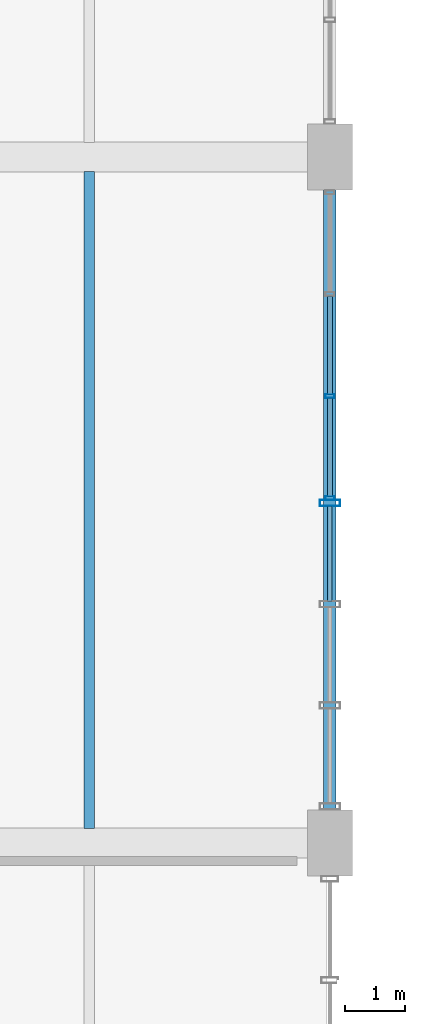
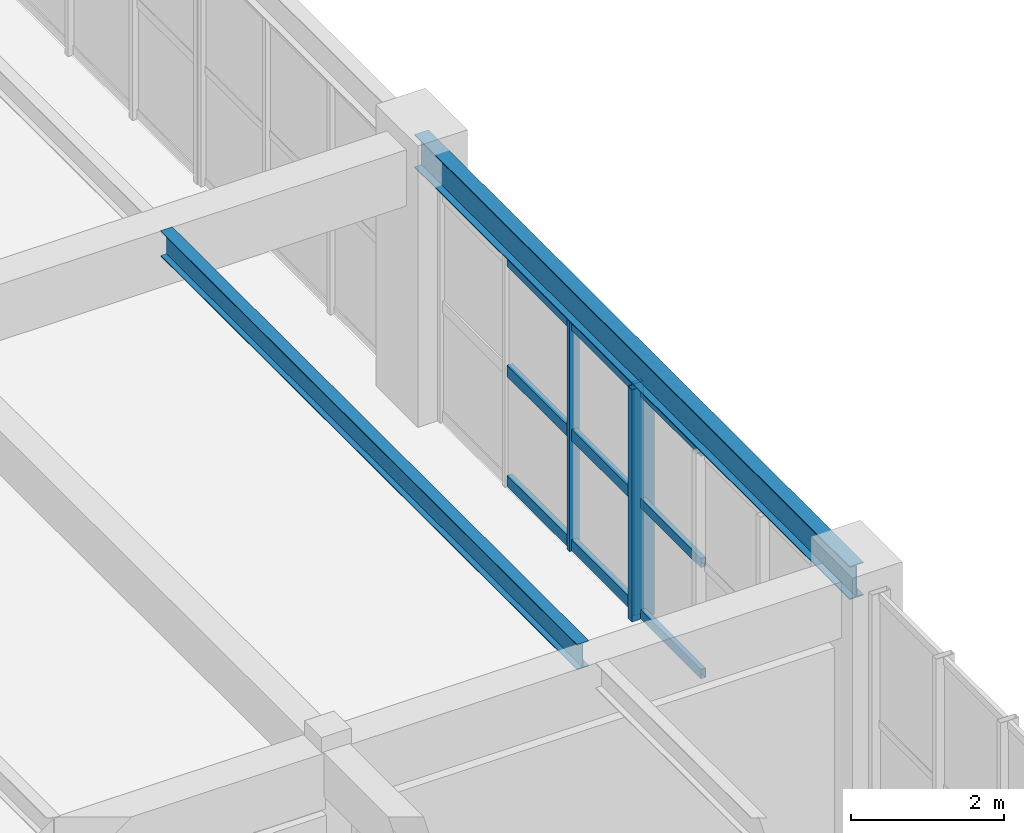
# One storey, part 8 of 48: 12 members, 2 beams, 2 elements without a shape of their own.
"""IFC4 building model written with IfcOpenShell, lengths in metres."""

import ifcopenshell
import ifcopenshell.guid

model = None  # the IFC model being written
_history = None  # IfcOwnerHistory: only IFC2X3 demands one
_inside = {}  # id of a spatial element -> (the spatial element, [elements in it])
_under = {}  # id of a project, library or spatial element -> (it, [spatial elements below it])
_declared = {}  # id of a project -> (the project, [libraries it declares])
_typed = {}  # id of a type object -> (the type object, [elements of that type])
_made_of = {}  # id of a material, layer set ... -> (it, [elements and type objects made of it])


def new_model(schema):
    """Start an empty IFC model of exactly this schema.

    Asked for "IFC4X3", IfcOpenShell would pick the latest addendum, in which some entities
    have other attributes; the version numbers below select the first issue.
    IFC2X3 requires an IfcOwnerHistory on every rooted entity: one is made here for all.
    """
    global model, _history
    if schema == "IFC4X3":
        model = ifcopenshell.file(schema_version=(4, 3, 0, 0))
    else:
        model = ifcopenshell.file(schema=schema)
    _inside.clear()
    _under.clear()
    _declared.clear()
    _typed.clear()
    _made_of.clear()
    _history = None
    if model.schema == "IFC2X3":
        org = make("IfcOrganization", Name="unknown")
        user = make(
            "IfcPersonAndOrganization",
            ThePerson=make("IfcPerson", FamilyName="unknown"),
            TheOrganization=org,
        )
        app = make(
            "IfcApplication",
            ApplicationDeveloper=org,
            Version="unknown",
            ApplicationFullName="unknown",
            ApplicationIdentifier="unknown",
        )
        _history = make(
            "IfcOwnerHistory",
            OwningUser=user,
            OwningApplication=app,
            ChangeAction="ADDED",
            CreationDate=0,
        )
    return model


def make(cls, **values):
    """One entity of the class cls with the attributes given. An attribute that is None is left unset."""
    return model.create_entity(
        cls, **{name: value for name, value in values.items() if value is not None}
    )


def rooted(cls, **values):
    """An entity with a GlobalId (a new one), such as an element, a storey or a relation."""
    return make(cls, GlobalId=ifcopenshell.guid.new(), OwnerHistory=_history, **values)


def si_unit(unit_type, name, prefix=None):
    """IfcSIUnit, for example si_unit("LENGTHUNIT", "METRE", prefix="MILLI")."""
    return make("IfcSIUnit", UnitType=unit_type, Prefix=prefix, Name=name)


def assignment(units):
    """IfcUnitAssignment: the units of a project."""
    return None if units is None else make("IfcUnitAssignment", Units=units)


def point(xyz):
    """IfcCartesianPoint."""
    return None if xyz is None else make("IfcCartesianPoint", Coordinates=xyz)


def direction(xyz):
    """IfcDirection."""
    return None if xyz is None else make("IfcDirection", DirectionRatios=xyz)


def frame(location, z_axis=None, x_axis=None):
    """IfcAxis2Placement3D, a coordinate frame: its origin and axes. An axis left out is left unset."""
    return make(
        "IfcAxis2Placement3D",
        Location=point(location),
        Axis=direction(z_axis),
        RefDirection=direction(x_axis),
    )


def frame_2d(location, x_axis=None):
    """IfcAxis2Placement2D, a coordinate frame in the plane: its origin and x axis."""
    return make(
        "IfcAxis2Placement2D", Location=point(location), RefDirection=direction(x_axis)
    )


def origin():
    """The frame at (0, 0, 0) with its axes left unset."""
    return frame((0.0, 0.0, 0.0))


def origin_2d():
    """The frame at (0, 0) in the plane with its x axis left unset."""
    return frame_2d((0.0, 0.0))


def place(relative_to, where):
    """IfcLocalPlacement: puts the frame where relative to a parent placement (None: the world)."""
    return make(
        "IfcLocalPlacement", PlacementRelTo=relative_to, RelativePlacement=where
    )


def context(
    kind, dimensions, precision=None, world=None, true_north=None, identifier=None
):
    """IfcGeometricRepresentationContext, for example the 3D "Model" context."""
    return make(
        "IfcGeometricRepresentationContext",
        ContextIdentifier=identifier,
        ContextType=kind,
        CoordinateSpaceDimension=dimensions,
        Precision=precision,
        WorldCoordinateSystem=world,
        TrueNorth=true_north,
    )


def subcontext(parent, identifier, kind, view, scale=None):
    """IfcGeometricRepresentationSubContext, for example "Body" below "Model"."""
    return make(
        "IfcGeometricRepresentationSubContext",
        ContextIdentifier=identifier,
        ContextType=kind,
        ParentContext=parent,
        TargetScale=scale,
        TargetView=view,
    )


def project(units=None, contexts=None):
    """IfcProject with its units and contexts."""
    return rooted(
        "IfcProject",
        Name="project",
        RepresentationContexts=contexts,
        UnitsInContext=assignment(units),
    )


def spatial(cls, under=None, at=None, **own):
    """A site, building, storey or space (cls), placed at a placement, below another one or the project."""
    s = rooted(cls, ObjectPlacement=at, **own)
    if under is not None:
        _under.setdefault(under.id(), (under, []))[1].append(s)
    return s


def profile(cls, at=None, kind="AREA", **sizes):
    """A parametric profile (cls). Its sizes go by their IFC names, for example OverallWidth=200.0."""
    return make(cls, ProfileType=kind, Position=at, **sizes)


def hollow_rectangle(**sizes):
    """IfcRectangleHollowProfileDef."""
    return profile("IfcRectangleHollowProfileDef", **sizes)


def i_section(**sizes):
    """IfcIShapeProfileDef."""
    return profile("IfcIShapeProfileDef", **sizes)


def extrude(swept, where, along, depth):
    """IfcExtrudedAreaSolid: the profile swept, set in the frame where, extruded along a direction by depth."""
    return make(
        "IfcExtrudedAreaSolid",
        SweptArea=swept,
        Position=where,
        ExtrudedDirection=direction(along),
        Depth=depth,
    )


def shape(context_of_items, identifier, shape_type, items):
    """IfcShapeRepresentation: the items that make up one representation, for example the "Body"."""
    return make(
        "IfcShapeRepresentation",
        ContextOfItems=context_of_items,
        RepresentationIdentifier=identifier,
        RepresentationType=shape_type,
        Items=items,
    )


def material(Name=None, Category=None):
    """IfcMaterial."""
    return make("IfcMaterial", Name=Name, Category=Category)


def layer(
    of_material, thickness, ventilated=None, Name=None, Category=None, Priority=None
):
    """IfcMaterialLayer: one layer of a wall or slab, of a material (None: an air gap)."""
    return make(
        "IfcMaterialLayer",
        Material=of_material,
        LayerThickness=thickness,
        IsVentilated=ventilated,
        Name=Name,
        Category=Category,
        Priority=Priority,
    )


def layer_set(layers, Name=None):
    """IfcMaterialLayerSet."""
    return make("IfcMaterialLayerSet", MaterialLayers=layers, LayerSetName=Name)


def material_profile(
    of_material, cross_section, Name=None, Category=None, Priority=None
):
    """IfcMaterialProfile: a cross section and its material."""
    return make(
        "IfcMaterialProfile",
        Name=Name,
        Material=of_material,
        Profile=cross_section,
        Priority=Priority,
        Category=Category,
    )


def profile_set(profiles, Name=None, composite=None):
    """IfcMaterialProfileSet."""
    return make(
        "IfcMaterialProfileSet",
        Name=Name,
        MaterialProfiles=profiles,
        CompositeProfile=composite,
    )


def made_of(thing, what):
    """Note that an element or type object is made of a material, layer set ...; save() writes the relation."""
    if what is not None:
        _made_of.setdefault(what.id(), (what, []))[1].append(thing)
    return thing


def type_object(cls, material=None, **own):
    """A type object (cls), such as IfcWallType, which elements share."""
    return made_of(rooted(cls, **own), material)


def element(
    cls,
    number,
    at=None,
    inside=None,
    cuts=None,
    type_object=None,
    material=None,
    context=None,
    identifier="Body",
    shape_type=None,
    held_by="IfcProductDefinitionShape",
    body=None,
    shapes=None,
    **own,
):
    """One element of the class cls, such as IfcWall. Its Tag is "e" and its number.

    at: its placement. inside: the storey or other place that contains it. cuts: it is an
    opening in that element (IfcRelVoidsElement). A single representation is given by context,
    identifier, shape_type and body (its items); several are given by shapes. held_by: the class
    of the entity that holds the representations. save() writes the other relations.
    """
    e = rooted(cls, Tag="e%d" % number, ObjectPlacement=at, **own)
    if body is not None:
        shapes = [shape(context, identifier, shape_type, body)]
    if shapes is not None:
        e.Representation = make(held_by, Representations=shapes)
    if inside is not None:
        _inside.setdefault(inside.id(), (inside, []))[1].append(e)
    if cuts is not None:
        rooted(
            "IfcRelVoidsElement", RelatingBuildingElement=cuts, RelatedOpeningElement=e
        )
    if type_object is not None:
        _typed.setdefault(type_object.id(), (type_object, []))[1].append(e)
    return made_of(e, material)


def aggregate(whole, parts):
    """IfcRelAggregates: a whole, such as a stair, and the parts it consists of."""
    return rooted("IfcRelAggregates", RelatingObject=whole, RelatedObjects=parts)


def save(model, path):
    """Write the relations noted so far, then the file.

    IfcRelAggregates (storeys below a building ...), IfcRelContainedInSpatialStructure (elements
    in a storey), IfcRelDefinesByType, IfcRelAssociatesMaterial and IfcRelDeclares: one each for
    every whole, place, type object, material and project.
    """
    for whole, parts in _under.values():
        aggregate(whole, parts)
    for where, things in _inside.values():
        rooted(
            "IfcRelContainedInSpatialStructure",
            RelatedElements=things,
            RelatingStructure=where,
        )
    for kind, things in _typed.values():
        rooted("IfcRelDefinesByType", RelatedObjects=things, RelatingType=kind)
    for what, things in _made_of.values():
        rooted("IfcRelAssociatesMaterial", RelatedObjects=things, RelatingMaterial=what)
    for by, libraries in _declared.values():
        rooted("IfcRelDeclares", RelatingContext=by, RelatedDefinitions=libraries)
    model.write(path)


model = new_model("IFC4")

# Units and contexts
model_context = context("Model", 3, precision=1e-05, world=origin(), true_north=direction((0.0, 1.0)))
body_context = subcontext(model_context, "Body", "Model", "MODEL_VIEW")
ifc_project = project(units=[si_unit("LENGTHUNIT", "METRE"), si_unit("AREAUNIT", "SQUARE_METRE"), si_unit("VOLUMEUNIT", "CUBIC_METRE"), si_unit("PLANEANGLEUNIT", "RADIAN"), si_unit("MASSUNIT", "GRAM", prefix="KILO"), si_unit("POWERUNIT", "WATT"), si_unit("THERMODYNAMICTEMPERATUREUNIT", "KELVIN")], contexts=[model_context])

# Site, building, storey
site_placement = place(None, origin())
site = spatial("IfcSite", under=ifc_project, at=site_placement, CompositionType="ELEMENT")
building_placement = place(site_placement, origin())
building = spatial("IfcBuilding", under=site, at=building_placement, Name="Kelmbourne Parkland Aquatics Centre", CompositionType="ELEMENT")
storey_placement = place(building_placement, frame((0.0, 0.0, 14.699951171875)))
storey = spatial("IfcBuildingStorey", under=building, at=storey_placement, Name="L03", CompositionType="ELEMENT", Elevation=14.699951171875)

# Beams
ifc_material_1 = material(Name="Structural steel AS/NZS 3679.1 Grade 300", Category="steel")
ifc_material_profile_1 = material_profile(ifc_material_1, i_section(OverallWidth=0.177978515625, OverallDepth=0.406005859375, WebThickness=0.0078125, FlangeThickness=0.0126953125, at=origin_2d()), Name="410UB59.7")
ifc_profile_set_1 = profile_set([ifc_material_profile_1], Name="Structural steel AS/NZS 3679.1 Grade 300")
beam_type_1 = type_object("IfcBeamType", Name="BM-J01", PredefinedType="JOIST", material=ifc_profile_set_1)
beam_1_placement = place(storey_placement, frame((36.0, 23.842041015625, 4.05712890625), z_axis=(0.0, 1.0, 0.0), x_axis=(-1.0, 0.0, 0.0)))
element("IfcBeam", 1, at=beam_1_placement, inside=storey, type_object=beam_type_1, Name="Secondary floor joist E-F/04-05 #1 (L04)", PredefinedType="JOIST", context=body_context, shape_type="SweptSolid", body=[
    extrude(i_section(OverallWidth=0.177978515625, OverallDepth=0.406005859375, WebThickness=0.0078125, FlangeThickness=0.0126953125, at=origin_2d()), origin(), (0.0, 0.0, 1.0), 10.916015625),
])
ifc_material_profile_2 = material_profile(ifc_material_1, i_section(OverallWidth=0.208984375, OverallDepth=0.532958984375, WebThickness=0.01025390625, FlangeThickness=0.015625, at=origin_2d()), Name="530UB92.4")
ifc_profile_set_2 = profile_set([ifc_material_profile_2], Name="Structural steel AS/NZS 3679.1 Grade 300")
beam_type_2 = type_object("IfcBeamType", Name="BM-SP02", PredefinedType="SPANDREL", material=ifc_profile_set_2)
beam_2_placement = place(storey_placement, frame((40.0, 23.60009765625, 3.99365234375), z_axis=(0.0, 1.0, 0.0), x_axis=(-1.0, 0.0, 0.0)))
element("IfcBeam", 2, at=beam_2_placement, inside=storey, type_object=beam_type_2, Name="Perimeter spandrel 04-05 Grid F (L04)", PredefinedType="SPANDREL", context=body_context, shape_type="SweptSolid", body=[
    extrude(i_section(OverallWidth=0.208984375, OverallDepth=0.532958984375, WebThickness=0.01025390625, FlangeThickness=0.015625, at=origin_2d()), origin(), (0.0, 0.0, 1.0), 11.39990234375),
])

# Curtain wall, members
ifc_material_2 = material(Name="Thermally broken anodised aluminium framing", Category="aluminium")
ifc_layer_1 = layer(ifc_material_2, 0.179931640625)
ifc_layer_set_1 = layer_set([ifc_layer_1], Name="Thermally broken anodised aluminium framing")
curtain_wall_type_1 = type_object("IfcCurtainWallType", Name="CW-20", PredefinedType="NOTDEFINED", material=ifc_layer_set_1)
curtain_wall_1_placement = place(storey_placement, origin())
curtain_wall_1 = element("IfcCurtainWall", 3, at=curtain_wall_1_placement, inside=storey, type_object=curtain_wall_type_1, Name="Facade curtain wall CW-L03-260", PredefinedType="NOTDEFINED")
ifc_material_profile_3 = material_profile(ifc_material_2, hollow_rectangle(XDim=0.06494140625, YDim=0.14990234375, WallThickness=0.00390625, at=origin_2d()), Name="CW-M 65x150")
ifc_profile_set_3 = profile_set([ifc_material_profile_3], Name="Thermally broken anodised aluminium framing")
member_type_1 = type_object("IfcMemberType", Name="MB-MUL-1", PredefinedType="MULLION", material=ifc_profile_set_3)
member_1_placement = place(storey_placement, frame((40.0, 29.33251953125, 0.0), z_axis=(0.0, 0.0, 1.0), x_axis=(0.0, 1.0, 0.0)))
member_1 = element("IfcMember", 4, at=member_1_placement, type_object=member_type_1, Name="CW-L03-260 mullion 0", PredefinedType="MULLION", context=body_context, shape_type="SweptSolid", body=[
    extrude(hollow_rectangle(XDim=0.06494140625, YDim=0.14990234375, WallThickness=0.00390625, at=origin_2d()), origin(), (0.0, 0.0, 1.0), 3.712158203125),
])
member_2_placement = place(storey_placement, frame((40.0, 31.02685546875, 0.0), z_axis=(0.0, 0.0, 1.0), x_axis=(0.0, 1.0, 0.0)))
member_2 = element("IfcMember", 5, at=member_2_placement, type_object=member_type_1, Name="CW-L03-260 mullion 1", PredefinedType="MULLION", context=body_context, shape_type="SweptSolid", body=[
    extrude(hollow_rectangle(XDim=0.06494140625, YDim=0.14990234375, WallThickness=0.00390625, at=origin_2d()), origin(), (0.0, 0.0, 1.0), 3.712158203125),
])

ifc_layer_2 = layer(ifc_material_2, 0.179931640625)
ifc_layer_set_2 = layer_set([ifc_layer_2], Name="Thermally broken anodised aluminium framing")
curtain_wall_type_2 = type_object("IfcCurtainWallType", Name="CW-19", PredefinedType="NOTDEFINED", material=ifc_layer_set_2)
curtain_wall_2_placement = place(storey_placement, origin())
curtain_wall_2 = element("IfcCurtainWall", 6, at=curtain_wall_2_placement, inside=storey, type_object=curtain_wall_type_2, Name="Facade curtain wall CW-L03-259", PredefinedType="NOTDEFINED")
ifc_material_profile_4 = material_profile(ifc_material_2, hollow_rectangle(XDim=0.10498046875, YDim=0.340087890625, WallThickness=0.006103515625, at=origin_2d()), Name="CW-M 105x340")
ifc_profile_set_4 = profile_set([ifc_material_profile_4], Name="Thermally broken anodised aluminium framing")
member_type_2 = type_object("IfcMemberType", Name="MB-MUL-5", PredefinedType="MULLION", material=ifc_profile_set_4)
member_3_placement = place(storey_placement, frame((40.0, 29.24755859375, 0.0), z_axis=(0.0, 0.0, 1.0), x_axis=(0.0, 1.0, 0.0)))
member_3 = element("IfcMember", 7, at=member_3_placement, type_object=member_type_2, Name="CW-L03-259 mullion 3", PredefinedType="MULLION", context=body_context, shape_type="SweptSolid", body=[
    extrude(hollow_rectangle(XDim=0.10498046875, YDim=0.340087890625, WallThickness=0.006103515625, at=origin_2d()), origin(), (0.0, 0.0, 1.0), 3.712158203125),
])
ifc_material_profile_5 = material_profile(ifc_material_2, hollow_rectangle(XDim=0.074951171875, YDim=0.14990234375, WallThickness=0.00390625, at=origin_2d()), Name="CW-T 75x150")
ifc_profile_set_5 = profile_set([ifc_material_profile_5], Name="Thermally broken anodised aluminium framing")
member_type_3 = type_object("IfcMemberType", Name="MB-TRN-2", PredefinedType="USERDEFINED", material=ifc_profile_set_5)
member_4_placement = place(storey_placement, frame((40.0, 27.614990234375, 0.078125), z_axis=(0.0, 1.0, 0.0), x_axis=(-1.0, 0.0, 0.0)))
member_4 = element("IfcMember", 8, at=member_4_placement, type_object=member_type_3, Name="CW-L03-259 transom 0-2", ObjectType="TRANSOM", PredefinedType="USERDEFINED", context=body_context, shape_type="SweptSolid", body=[
    extrude(hollow_rectangle(XDim=0.074951171875, YDim=0.14990234375, WallThickness=0.00390625, at=origin_2d()), origin(), (0.0, 0.0, 1.0), 1.583984375),
])
member_5_placement = place(storey_placement, frame((40.0, 27.614990234375, 1.85595703125), z_axis=(0.0, 1.0, 0.0), x_axis=(-1.0, 0.0, 0.0)))
member_5 = element("IfcMember", 9, at=member_5_placement, type_object=member_type_3, Name="CW-L03-259 transom 1-2", ObjectType="TRANSOM", PredefinedType="USERDEFINED", context=body_context, shape_type="SweptSolid", body=[
    extrude(hollow_rectangle(XDim=0.074951171875, YDim=0.14990234375, WallThickness=0.00390625, at=origin_2d()), origin(), (0.0, 0.0, 1.0), 1.583984375),
])
member_6_placement = place(storey_placement, frame((40.0, 27.614990234375, 3.634033203125), z_axis=(0.0, 1.0, 0.0), x_axis=(-1.0, 0.0, 0.0)))
member_6 = element("IfcMember", 10, at=member_6_placement, type_object=member_type_3, Name="CW-L03-259 transom 2-2", ObjectType="TRANSOM", PredefinedType="USERDEFINED", context=body_context, shape_type="SweptSolid", body=[
    extrude(hollow_rectangle(XDim=0.074951171875, YDim=0.14990234375, WallThickness=0.00390625, at=origin_2d()), origin(), (0.0, 0.0, 1.0), 1.583984375),
])
aggregate(curtain_wall_2, [member_3, member_4, member_5, member_6])

# Member
ifc_material_profile_6 = material_profile(ifc_material_2, hollow_rectangle(XDim=0.0849609375, YDim=0.179931640625, WallThickness=0.00439453125, at=origin_2d()), Name="CW-T 85x180")
ifc_profile_set_6 = profile_set([ifc_material_profile_6], Name="Thermally broken anodised aluminium framing")
member_type_4 = type_object("IfcMemberType", Name="MB-TRN-3", PredefinedType="USERDEFINED", material=ifc_profile_set_6)
member_7_placement = place(storey_placement, frame((40.0, 29.361083984375, 0.093017578125), z_axis=(0.0, 1.0, 0.0), x_axis=(-1.0, 0.0, 0.0)))
member_7 = element("IfcMember", 11, at=member_7_placement, type_object=member_type_4, Name="CW-L03-260 transom 0-0", ObjectType="TRANSOM", PredefinedType="USERDEFINED", context=body_context, shape_type="SweptSolid", body=[
    extrude(hollow_rectangle(XDim=0.0849609375, YDim=0.179931640625, WallThickness=0.00439453125, at=origin_2d()), origin(), (0.0, 0.0, 1.0), 1.63720703125),
])

member_8_placement = place(storey_placement, frame((40.0, 31.055419921875, 0.093017578125), z_axis=(0.0, 1.0, 0.0), x_axis=(-1.0, 0.0, 0.0)))
member_8 = element("IfcMember", 12, at=member_8_placement, type_object=member_type_4, Name="CW-L03-260 transom 0-1", ObjectType="TRANSOM", PredefinedType="USERDEFINED", context=body_context, shape_type="SweptSolid", body=[
    extrude(hollow_rectangle(XDim=0.0849609375, YDim=0.179931640625, WallThickness=0.00439453125, at=origin_2d()), origin(), (0.0, 0.0, 1.0), 1.63720703125),
])

member_9_placement = place(storey_placement, frame((40.0, 29.361083984375, 1.85595703125), z_axis=(0.0, 1.0, 0.0), x_axis=(-1.0, 0.0, 0.0)))
member_9 = element("IfcMember", 13, at=member_9_placement, type_object=member_type_4, Name="CW-L03-260 transom 1-0", ObjectType="TRANSOM", PredefinedType="USERDEFINED", context=body_context, shape_type="SweptSolid", body=[
    extrude(hollow_rectangle(XDim=0.0849609375, YDim=0.179931640625, WallThickness=0.00439453125, at=origin_2d()), origin(), (0.0, 0.0, 1.0), 1.63720703125),
])

member_10_placement = place(storey_placement, frame((40.0, 31.055419921875, 1.85595703125), z_axis=(0.0, 1.0, 0.0), x_axis=(-1.0, 0.0, 0.0)))
member_10 = element("IfcMember", 14, at=member_10_placement, type_object=member_type_4, Name="CW-L03-260 transom 1-1", ObjectType="TRANSOM", PredefinedType="USERDEFINED", context=body_context, shape_type="SweptSolid", body=[
    extrude(hollow_rectangle(XDim=0.0849609375, YDim=0.179931640625, WallThickness=0.00439453125, at=origin_2d()), origin(), (0.0, 0.0, 1.0), 1.63720703125),
])

member_11_placement = place(storey_placement, frame((40.0, 29.361083984375, 3.619140625), z_axis=(0.0, 1.0, 0.0), x_axis=(-1.0, 0.0, 0.0)))
member_11 = element("IfcMember", 15, at=member_11_placement, type_object=member_type_4, Name="CW-L03-260 transom 2-0", ObjectType="TRANSOM", PredefinedType="USERDEFINED", context=body_context, shape_type="SweptSolid", body=[
    extrude(hollow_rectangle(XDim=0.0849609375, YDim=0.179931640625, WallThickness=0.00439453125, at=origin_2d()), origin(), (0.0, 0.0, 1.0), 1.63720703125),
])

member_12_placement = place(storey_placement, frame((40.0, 31.055419921875, 3.619140625), z_axis=(0.0, 1.0, 0.0), x_axis=(-1.0, 0.0, 0.0)))
member_12 = element("IfcMember", 16, at=member_12_placement, type_object=member_type_4, Name="CW-L03-260 transom 2-1", ObjectType="TRANSOM", PredefinedType="USERDEFINED", context=body_context, shape_type="SweptSolid", body=[
    extrude(hollow_rectangle(XDim=0.0849609375, YDim=0.179931640625, WallThickness=0.00439453125, at=origin_2d()), origin(), (0.0, 0.0, 1.0), 1.63720703125),
])

aggregate(curtain_wall_1, [member_1, member_2, member_7, member_8, member_9, member_10, member_11, member_12])

save(model, "model.ifc")
